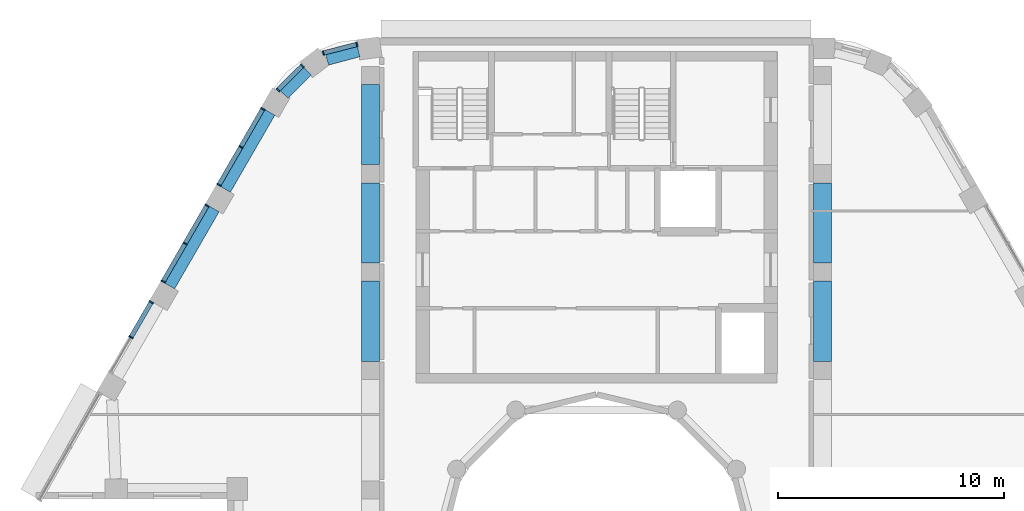
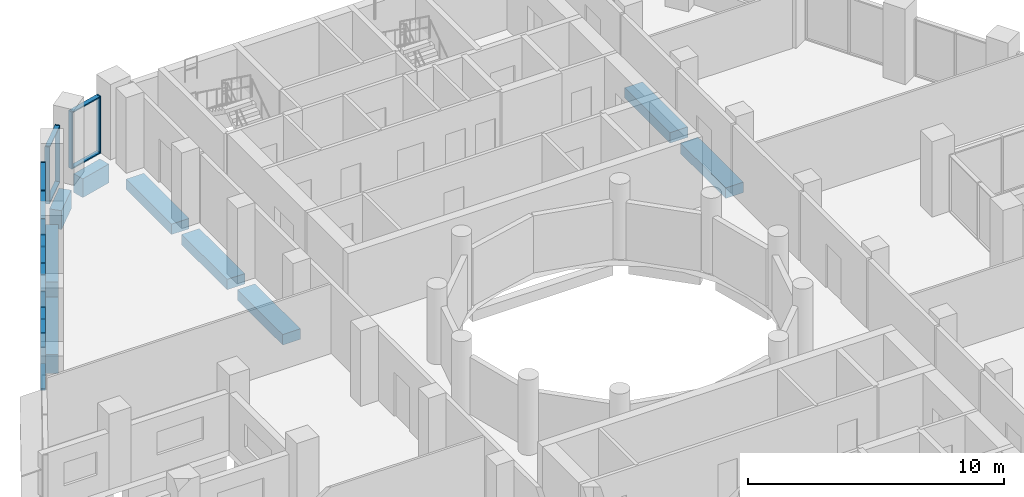
# One storey, part 6 of 16: 26 members, 9 beams, 5 elements without a shape of their own.
"""IFC4 building model written with IfcOpenShell, lengths in metres."""

from ifc_helpers import new_model, si_unit, direction, frame, origin, origin_2d, place, context, subcontext, project, spatial, rectangle, extrude, material, layer, layer_set, material_profile, profile_set, type_object, element, aggregate, save


model = new_model("IFC4")

# Units and contexts
model_context = context("Model", 3, precision=1e-05, world=origin(), true_north=direction((0.0, 1.0)))
body_context = subcontext(model_context, "Body", "Model", "MODEL_VIEW")
ifc_project = project(units=[si_unit("LENGTHUNIT", "METRE"), si_unit("AREAUNIT", "SQUARE_METRE"), si_unit("VOLUMEUNIT", "CUBIC_METRE"), si_unit("PLANEANGLEUNIT", "RADIAN"), si_unit("MASSUNIT", "GRAM", prefix="KILO")], contexts=[model_context])

# Site, building, storey
site_placement = place(None, origin())
site = spatial("IfcSite", under=ifc_project, at=site_placement, CompositionType="ELEMENT")
building_placement = place(site_placement, origin())
building = spatial("IfcBuilding", under=site, at=building_placement, Name="Nakaniwa Court", CompositionType="ELEMENT")
storey_placement = place(building_placement, frame((0.0, 0.0, 272.39990234375)))
storey = spatial("IfcBuildingStorey", under=building, at=storey_placement, Name="C01", CompositionType="ELEMENT", Elevation=272.39990234375)

# Beams
ifc_material_1 = material(Name="Concrete C80/100", Category="concrete")
ifc_material_profile_1 = material_profile(ifc_material_1, rectangle(XDim=0.5, YDim=0.89990234375, at=origin_2d()), Name="Concrete C80/100 RC 500x900 spandrel beam")
ifc_profile_set_1 = profile_set([ifc_material_profile_1], Name="Concrete C80/100")
beam_type_1 = type_object("IfcBeamType", Name="Concrete C80/100 RC 500x900 spandrel beam", PredefinedType="BEAM", material=ifc_profile_set_1)
beam_1_placement = place(storey_placement, frame((69.467529296875, 102.0703125, -0.724853515625), z_axis=(-0.966341744737, -0.257261797354, 0.0), x_axis=(0.257261797354, -0.966341744737, 0.0)))
element("IfcBeam", 1, at=beam_1_placement, inside=storey, type_object=beam_type_1, Name="SPANDREL BEAM", PredefinedType="BEAM", context=body_context, shape_type="SweptSolid", body=[
    extrude(rectangle(XDim=0.5, YDim=0.89990234375, at=origin_2d()), origin(), (0.0, 0.0, 1.0), 1.440673828125),
])
beam_2_placement = place(storey_placement, frame((67.196044921875, 101.202880859375, -0.724853515625), z_axis=(-0.706105687672, -0.708106459396, 0.0), x_axis=(0.708106459396, -0.706105687672, 0.0)))
element("IfcBeam", 2, at=beam_2_placement, inside=storey, type_object=beam_type_1, Name="SPANDREL BEAM", PredefinedType="BEAM", context=body_context, shape_type="SweptSolid", body=[
    extrude(rectangle(XDim=0.5, YDim=0.89990234375, at=origin_2d()), origin(), (0.0, 0.0, 1.0), 1.46435546875),
])
for number, where, z_axis, x_axis, name in (
    (3, (65.546875, 99.366455078125, -0.724853515625), (-0.499974795965, -0.866039954852, 0.0), (0.866039954852, -0.499974795965, 0.0), "SPANDREL BEAM"),
    (4, (63.078857421875, 95.091552734375, -0.724853515625), (-0.500021313302, -0.866013098194, 0.0), (0.866013098194, -0.500021313302, 0.0), "SPANDREL BEAM"),
):
    element("IfcBeam", number, at=place(storey_placement, frame(where, z_axis=z_axis, x_axis=x_axis)), inside=storey, type_object=beam_type_1, Name=name, PredefinedType="BEAM", context=body_context, shape_type="SweptSolid", body=[
        extrude(rectangle(XDim=0.5, YDim=0.89990234375, at=origin_2d()), origin(), (0.0, 0.0, 1.0), 3.936279296875),
    ])
ifc_material_profile_2 = material_profile(ifc_material_1, rectangle(XDim=0.800048828125, YDim=0.5, at=origin_2d()), Name="Concrete C80/100 RC 800x500 ring beam")
ifc_profile_set_2 = profile_set([ifc_material_profile_2], Name="Concrete C80/100")
beam_type_2 = type_object("IfcBeamType", Name="Concrete C80/100 RC 800x500 ring beam", PredefinedType="BEAM", material=ifc_profile_set_2)
beam_3_placement = place(storey_placement, frame((90.0, 88.35009765625, -0.52490234375), z_axis=(0.0, 1.0, 0.0), x_axis=(-1.0, 0.0, 0.0)))
element("IfcBeam", 5, at=beam_3_placement, inside=storey, type_object=beam_type_2, Name="RING BEAM", PredefinedType="BEAM", context=body_context, shape_type="SweptSolid", body=[
    extrude(rectangle(XDim=0.800048828125, YDim=0.5, at=origin_2d()), origin(), (0.0, 0.0, 1.0), 3.5498046875),
])
for number, where, z_axis, x_axis, name in (
    (6, (90.0, 92.699951171875, -0.52490234375), (0.0, 1.0, 0.0), (-1.0, 0.0, 0.0), "RING BEAM"),
    (7, (70.0, 100.60009765625, -0.52490234375), (0.0, -1.0, 0.0), (1.0, 0.0, 0.0), "RING BEAM"),
    (8, (70.0, 96.25, -0.52490234375), (0.0, -1.0, 0.0), (1.0, 0.0, 0.0), "RING BEAM"),
):
    element("IfcBeam", number, at=place(storey_placement, frame(where, z_axis=z_axis, x_axis=x_axis)), inside=storey, type_object=beam_type_2, Name=name, PredefinedType="BEAM", context=body_context, shape_type="SweptSolid", body=[
        extrude(rectangle(XDim=0.800048828125, YDim=0.5, at=origin_2d()), origin(), (0.0, 0.0, 1.0), 3.550048828125),
    ])
beam_4_placement = place(storey_placement, frame((70.0, 91.89990234375, -0.52490234375), z_axis=(0.0, -1.0, 0.0), x_axis=(1.0, 0.0, 0.0)))
element("IfcBeam", 9, at=beam_4_placement, inside=storey, type_object=beam_type_2, Name="RING BEAM", PredefinedType="BEAM", context=body_context, shape_type="SweptSolid", body=[
    extrude(rectangle(XDim=0.800048828125, YDim=0.5, at=origin_2d()), origin(), (0.0, 0.0, 1.0), 3.5498046875),
])

# Curtain wall, members
ifc_material_2 = material(Name="Black anodised aluminium frame with dark low-E laminated double glazing", Category="aluminium")
ifc_layer = layer(ifc_material_2, 0.199951171875)
ifc_layer_set = layer_set([ifc_layer], Name="Black anodised aluminium frame with dark low-E laminated double glazing")
curtain_wall_type = type_object("IfcCurtainWallType", Name="Crown curtain wall", PredefinedType="NOTDEFINED", material=ifc_layer_set)
curtain_wall_1_placement = place(storey_placement, origin())
curtain_wall_1 = element("IfcCurtainWall", 10, at=curtain_wall_1_placement, inside=storey, type_object=curtain_wall_type, Name="C01 curtain wall CW4 09", PredefinedType="NOTDEFINED")
ifc_material_3 = material(Name="Black anodised aluminium extrusion", Category="aluminium")
ifc_material_profile_3 = material_profile(ifc_material_3, rectangle(XDim=0.199951171875, YDim=0.06494140625, at=origin_2d()), Name="Crown curtain wall mullion 65x200")
ifc_profile_set_3 = profile_set([ifc_material_profile_3], Name="Black anodised aluminium extrusion")
member_type_1 = type_object("IfcMemberType", Name="Crown curtain wall mullion 65x200", PredefinedType="MULLION", material=ifc_profile_set_3)
member_1_placement = place(storey_placement, frame((69.392822265625, 102.37353515625, 0.0), z_axis=(0.0, 0.0, 1.0), x_axis=(0.248053150669, -0.968746424222, 0.0)))
member_1 = element("IfcMember", 11, at=member_1_placement, type_object=member_type_1, Name="CW4 mullion 1", PredefinedType="MULLION", context=body_context, shape_type="SweptSolid", body=[
    extrude(rectangle(XDim=0.199951171875, YDim=0.06494140625, at=origin_2d()), origin(), (0.0, 0.0, 1.0), 2.72509765625),
])
member_2_placement = place(storey_placement, frame((67.90771484375, 101.993408203125, 0.0), z_axis=(0.0, 0.0, 1.0), x_axis=(0.248053150669, -0.968746424222, 0.0)))
member_2 = element("IfcMember", 12, at=member_2_placement, type_object=member_type_1, Name="CW4 mullion 2", PredefinedType="MULLION", context=body_context, shape_type="SweptSolid", body=[
    extrude(rectangle(XDim=0.199951171875, YDim=0.06494140625, at=origin_2d()), origin(), (0.0, 0.0, 1.0), 2.72509765625),
])

curtain_wall_2_placement = place(storey_placement, origin())
curtain_wall_2 = element("IfcCurtainWall", 13, at=curtain_wall_2_placement, inside=storey, type_object=curtain_wall_type, Name="C01 curtain wall CW4 10", PredefinedType="NOTDEFINED")
member_3_placement = place(storey_placement, frame((66.98095703125, 101.426025390625, 0.0), z_axis=(0.0, 0.0, 1.0), x_axis=(0.705647329126, -0.708563227169, 0.0)))
member_3 = element("IfcMember", 14, at=member_3_placement, type_object=member_type_1, Name="CW4 mullion 1", PredefinedType="MULLION", context=body_context, shape_type="SweptSolid", body=[
    extrude(rectangle(XDim=0.199951171875, YDim=0.06494140625, at=origin_2d()), origin(), (0.0, 0.0, 1.0), 2.72509765625),
])
member_4_placement = place(storey_placement, frame((65.9091796875, 100.358642578125, 0.0), z_axis=(0.0, 0.0, 1.0), x_axis=(0.705647329126, -0.708563227169, 0.0)))
member_4 = element("IfcMember", 15, at=member_4_placement, type_object=member_type_1, Name="CW4 mullion 2", PredefinedType="MULLION", context=body_context, shape_type="SweptSolid", body=[
    extrude(rectangle(XDim=0.199951171875, YDim=0.06494140625, at=origin_2d()), origin(), (0.0, 0.0, 1.0), 2.72509765625),
])

curtain_wall_3_placement = place(storey_placement, origin())
curtain_wall_3 = element("IfcCurtainWall", 16, at=curtain_wall_3_placement, inside=storey, type_object=curtain_wall_type, Name="C01 curtain wall CW4 11", PredefinedType="NOTDEFINED")
member_5_placement = place(storey_placement, frame((65.2294921875, 99.516845703125, 0.0), z_axis=(0.0, 0.0, 1.0), x_axis=(0.866033174523, -0.499986540445, 0.0)))
member_5 = element("IfcMember", 17, at=member_5_placement, type_object=member_type_1, Name="CW4 mullion 1", PredefinedType="MULLION", context=body_context, shape_type="SweptSolid", body=[
    extrude(rectangle(XDim=0.199951171875, YDim=0.06494140625, at=origin_2d()), origin(), (0.0, 0.0, 1.0), 2.72509765625),
])
member_6_placement = place(storey_placement, frame((64.259765625, 97.837158203125, 0.0), z_axis=(0.0, 0.0, 1.0), x_axis=(0.866033174523, -0.499986540445, 0.0)))
member_6 = element("IfcMember", 18, at=member_6_placement, type_object=member_type_1, Name="CW4 mullion 2", PredefinedType="MULLION", context=body_context, shape_type="SweptSolid", body=[
    extrude(rectangle(XDim=0.199951171875, YDim=0.06494140625, at=origin_2d()), origin(), (0.0, 0.0, 1.0), 2.72509765625),
])
member_7_placement = place(storey_placement, frame((63.2900390625, 96.1572265625, 0.0), z_axis=(0.0, 0.0, 1.0), x_axis=(0.866033174523, -0.499986540445, 0.0)))
member_7 = element("IfcMember", 19, at=member_7_placement, type_object=member_type_1, Name="CW4 mullion 3", PredefinedType="MULLION", context=body_context, shape_type="SweptSolid", body=[
    extrude(rectangle(XDim=0.199951171875, YDim=0.06494140625, at=origin_2d()), origin(), (0.0, 0.0, 1.0), 2.72509765625),
])

curtain_wall_4_placement = place(storey_placement, origin())
curtain_wall_4 = element("IfcCurtainWall", 20, at=curtain_wall_4_placement, inside=storey, type_object=curtain_wall_type, Name="C01 curtain wall CW4 12", PredefinedType="NOTDEFINED")
member_8_placement = place(storey_placement, frame((62.761474609375, 95.241943359375, 0.0), z_axis=(0.0, 0.0, 1.0), x_axis=(0.866015857958, -0.500016533491, 0.0)))
member_8 = element("IfcMember", 21, at=member_8_placement, type_object=member_type_1, Name="CW4 mullion 1", PredefinedType="MULLION", context=body_context, shape_type="SweptSolid", body=[
    extrude(rectangle(XDim=0.199951171875, YDim=0.06494140625, at=origin_2d()), origin(), (0.0, 0.0, 1.0), 2.72509765625),
])
member_9_placement = place(storey_placement, frame((61.79150390625, 93.562255859375, 0.0), z_axis=(0.0, 0.0, 1.0), x_axis=(0.866015857958, -0.500016533491, 0.0)))
member_9 = element("IfcMember", 22, at=member_9_placement, type_object=member_type_1, Name="CW4 mullion 2", PredefinedType="MULLION", context=body_context, shape_type="SweptSolid", body=[
    extrude(rectangle(XDim=0.199951171875, YDim=0.06494140625, at=origin_2d()), origin(), (0.0, 0.0, 1.0), 2.72509765625),
])
member_10_placement = place(storey_placement, frame((60.82177734375, 91.88232421875, 0.0), z_axis=(0.0, 0.0, 1.0), x_axis=(0.866015857958, -0.500016533491, 0.0)))
member_10 = element("IfcMember", 23, at=member_10_placement, type_object=member_type_1, Name="CW4 mullion 3", PredefinedType="MULLION", context=body_context, shape_type="SweptSolid", body=[
    extrude(rectangle(XDim=0.199951171875, YDim=0.06494140625, at=origin_2d()), origin(), (0.0, 0.0, 1.0), 2.72509765625),
])

curtain_wall_5_placement = place(storey_placement, origin())
curtain_wall_5 = element("IfcCurtainWall", 24, at=curtain_wall_5_placement, inside=storey, type_object=curtain_wall_type, Name="C01 curtain wall CW4 13", PredefinedType="NOTDEFINED")
member_11_placement = place(storey_placement, frame((60.293212890625, 90.967041015625, 0.0), z_axis=(0.0, 0.0, 1.0), x_axis=(0.866032625369, -0.49998749164, 0.0)))
member_11 = element("IfcMember", 25, at=member_11_placement, type_object=member_type_1, Name="CW4 mullion 1", PredefinedType="MULLION", context=body_context, shape_type="SweptSolid", body=[
    extrude(rectangle(XDim=0.199951171875, YDim=0.06494140625, at=origin_2d()), origin(), (0.0, 0.0, 1.0), 2.72509765625),
])
member_12_placement = place(storey_placement, frame((59.397705078125, 89.416015625, 0.0), z_axis=(0.0, 0.0, 1.0), x_axis=(0.866032625369, -0.49998749164, 0.0)))
member_12 = element("IfcMember", 26, at=member_12_placement, type_object=member_type_1, Name="CW4 mullion 2", PredefinedType="MULLION", context=body_context, shape_type="SweptSolid", body=[
    extrude(rectangle(XDim=0.199951171875, YDim=0.06494140625, at=origin_2d()), origin(), (0.0, 0.0, 1.0), 2.72509765625),
])

# Member
ifc_material_profile_4 = material_profile(ifc_material_3, rectangle(XDim=0.199951171875, YDim=0.054931640625, at=origin_2d()), Name="Crown curtain wall transom 55x200")
ifc_profile_set_4 = profile_set([ifc_material_profile_4], Name="Black anodised aluminium extrusion")
member_type_2 = type_object("IfcMemberType", Name="Crown curtain wall transom 55x200", PredefinedType="USERDEFINED", material=ifc_profile_set_4)
member_13_placement = place(storey_placement, frame((69.361328125, 102.365478515625, 0.027587890625), z_axis=(-0.96876740612, -0.247971193567, 0.0), x_axis=(0.247971193567, -0.96876740612, 0.0)))
member_13 = element("IfcMember", 27, at=member_13_placement, type_object=member_type_2, Name="CW4 transom 1.1", ObjectType="TRANSOM", PredefinedType="USERDEFINED", context=body_context, shape_type="SweptSolid", body=[
    extrude(rectangle(XDim=0.199951171875, YDim=0.054931640625, at=origin_2d()), origin(), (0.0, 0.0, 1.0), 1.468017578125),
])

member_14_placement = place(storey_placement, frame((69.361328125, 102.365478515625, 2.697509765625), z_axis=(-0.96876740612, -0.247971193567, 0.0), x_axis=(0.247971193567, -0.96876740612, 0.0)))
member_14 = element("IfcMember", 28, at=member_14_placement, type_object=member_type_2, Name="CW4 transom 1.2", ObjectType="TRANSOM", PredefinedType="USERDEFINED", context=body_context, shape_type="SweptSolid", body=[
    extrude(rectangle(XDim=0.199951171875, YDim=0.054931640625, at=origin_2d()), origin(), (0.0, 0.0, 1.0), 1.468017578125),
])

aggregate(curtain_wall_1, [member_1, member_2, member_13, member_14])

member_15_placement = place(storey_placement, frame((66.9580078125, 101.403076171875, 0.027587890625), z_axis=(-0.708538934428, -0.705671721411, 0.0), x_axis=(0.705671721411, -0.708538934428, 0.0)))
member_15 = element("IfcMember", 29, at=member_15_placement, type_object=member_type_2, Name="CW4 transom 1.1", ObjectType="TRANSOM", PredefinedType="USERDEFINED", context=body_context, shape_type="SweptSolid", body=[
    extrude(rectangle(XDim=0.199951171875, YDim=0.054931640625, at=origin_2d()), origin(), (0.0, 0.0, 1.0), 1.447509765625),
])

member_16_placement = place(storey_placement, frame((66.9580078125, 101.403076171875, 2.697509765625), z_axis=(-0.708538934428, -0.705671721411, 0.0), x_axis=(0.705671721411, -0.708538934428, 0.0)))
member_16 = element("IfcMember", 30, at=member_16_placement, type_object=member_type_2, Name="CW4 transom 1.2", ObjectType="TRANSOM", PredefinedType="USERDEFINED", context=body_context, shape_type="SweptSolid", body=[
    extrude(rectangle(XDim=0.199951171875, YDim=0.054931640625, at=origin_2d()), origin(), (0.0, 0.0, 1.0), 1.447509765625),
])

aggregate(curtain_wall_2, [member_3, member_4, member_15, member_16])

member_17_placement = place(storey_placement, frame((65.21337890625, 99.48876953125, 0.027587890625), z_axis=(-0.500060622324, -0.86599040064, 0.0), x_axis=(0.86599040064, -0.500060622324, 0.0)))
member_17 = element("IfcMember", 31, at=member_17_placement, type_object=member_type_2, Name="CW4 transom 1.1", ObjectType="TRANSOM", PredefinedType="USERDEFINED", context=body_context, shape_type="SweptSolid", body=[
    extrude(rectangle(XDim=0.199951171875, YDim=0.054931640625, at=origin_2d()), origin(), (0.0, 0.0, 1.0), 1.874755859375),
])

member_18_placement = place(storey_placement, frame((65.21337890625, 99.48876953125, 2.697509765625), z_axis=(-0.500060622324, -0.86599040064, 0.0), x_axis=(0.86599040064, -0.500060622324, 0.0)))
member_18 = element("IfcMember", 32, at=member_18_placement, type_object=member_type_2, Name="CW4 transom 1.2", ObjectType="TRANSOM", PredefinedType="USERDEFINED", context=body_context, shape_type="SweptSolid", body=[
    extrude(rectangle(XDim=0.199951171875, YDim=0.054931640625, at=origin_2d()), origin(), (0.0, 0.0, 1.0), 1.874755859375),
])

member_19_placement = place(storey_placement, frame((64.243408203125, 97.808837890625, 0.027587890625), z_axis=(-0.499962952589, -0.86604679206, 0.0), x_axis=(0.86604679206, -0.499962952589, 0.0)))
member_19 = element("IfcMember", 33, at=member_19_placement, type_object=member_type_2, Name="CW4 transom 2.1", ObjectType="TRANSOM", PredefinedType="USERDEFINED", context=body_context, shape_type="SweptSolid", body=[
    extrude(rectangle(XDim=0.199951171875, YDim=0.054931640625, at=origin_2d()), origin(), (0.0, 0.0, 1.0), 1.874755859375),
])

member_20_placement = place(storey_placement, frame((64.243408203125, 97.808837890625, 2.697509765625), z_axis=(-0.499962952589, -0.86604679206, 0.0), x_axis=(0.86604679206, -0.499962952589, 0.0)))
member_20 = element("IfcMember", 34, at=member_20_placement, type_object=member_type_2, Name="CW4 transom 2.2", ObjectType="TRANSOM", PredefinedType="USERDEFINED", context=body_context, shape_type="SweptSolid", body=[
    extrude(rectangle(XDim=0.199951171875, YDim=0.054931640625, at=origin_2d()), origin(), (0.0, 0.0, 1.0), 1.874755859375),
])

aggregate(curtain_wall_3, [member_5, member_6, member_7, member_17, member_18, member_19, member_20])

member_21_placement = place(storey_placement, frame((62.7451171875, 95.2138671875, 0.027587890625), z_axis=(-0.499962952589, -0.86604679206, 0.0), x_axis=(0.86604679206, -0.499962952589, 0.0)))
member_21 = element("IfcMember", 35, at=member_21_placement, type_object=member_type_2, Name="CW4 transom 1.1", ObjectType="TRANSOM", PredefinedType="USERDEFINED", context=body_context, shape_type="SweptSolid", body=[
    extrude(rectangle(XDim=0.199951171875, YDim=0.054931640625, at=origin_2d()), origin(), (0.0, 0.0, 1.0), 1.874755859375),
])

member_22_placement = place(storey_placement, frame((62.7451171875, 95.2138671875, 2.697509765625), z_axis=(-0.499962952589, -0.86604679206, 0.0), x_axis=(0.86604679206, -0.499962952589, 0.0)))
member_22 = element("IfcMember", 36, at=member_22_placement, type_object=member_type_2, Name="CW4 transom 1.2", ObjectType="TRANSOM", PredefinedType="USERDEFINED", context=body_context, shape_type="SweptSolid", body=[
    extrude(rectangle(XDim=0.199951171875, YDim=0.054931640625, at=origin_2d()), origin(), (0.0, 0.0, 1.0), 1.874755859375),
])

member_23_placement = place(storey_placement, frame((61.775390625, 93.533935546875, 0.027587890625), z_axis=(-0.50011702088, -0.865957831206, 0.0), x_axis=(0.865957831206, -0.50011702088, 0.0)))
member_23 = element("IfcMember", 37, at=member_23_placement, type_object=member_type_2, Name="CW4 transom 2.1", ObjectType="TRANSOM", PredefinedType="USERDEFINED", context=body_context, shape_type="SweptSolid", body=[
    extrude(rectangle(XDim=0.199951171875, YDim=0.054931640625, at=origin_2d()), origin(), (0.0, 0.0, 1.0), 1.87451171875),
])

member_24_placement = place(storey_placement, frame((61.775390625, 93.533935546875, 2.697509765625), z_axis=(-0.50011702088, -0.865957831206, 0.0), x_axis=(0.865957831206, -0.50011702088, 0.0)))
member_24 = element("IfcMember", 38, at=member_24_placement, type_object=member_type_2, Name="CW4 transom 2.2", ObjectType="TRANSOM", PredefinedType="USERDEFINED", context=body_context, shape_type="SweptSolid", body=[
    extrude(rectangle(XDim=0.199951171875, YDim=0.054931640625, at=origin_2d()), origin(), (0.0, 0.0, 1.0), 1.87451171875),
])

aggregate(curtain_wall_4, [member_8, member_9, member_10, member_21, member_22, member_23, member_24])

member_25_placement = place(storey_placement, frame((60.277099609375, 90.93896484375, 0.027587890625), z_axis=(-0.499987726745, -0.866032489635, 0.0), x_axis=(0.866032489635, -0.499987726745, 0.0)))
member_25 = element("IfcMember", 39, at=member_25_placement, type_object=member_type_2, Name="CW4 transom 1.1", ObjectType="TRANSOM", PredefinedType="USERDEFINED", context=body_context, shape_type="SweptSolid", body=[
    extrude(rectangle(XDim=0.199951171875, YDim=0.054931640625, at=origin_2d()), origin(), (0.0, 0.0, 1.0), 1.72607421875),
])

member_26_placement = place(storey_placement, frame((60.277099609375, 90.93896484375, 2.697509765625), z_axis=(-0.499987726745, -0.866032489635, 0.0), x_axis=(0.866032489635, -0.499987726745, 0.0)))
member_26 = element("IfcMember", 40, at=member_26_placement, type_object=member_type_2, Name="CW4 transom 1.2", ObjectType="TRANSOM", PredefinedType="USERDEFINED", context=body_context, shape_type="SweptSolid", body=[
    extrude(rectangle(XDim=0.199951171875, YDim=0.054931640625, at=origin_2d()), origin(), (0.0, 0.0, 1.0), 1.72607421875),
])

aggregate(curtain_wall_5, [member_11, member_12, member_25, member_26])

save(model, "model.ifc")
